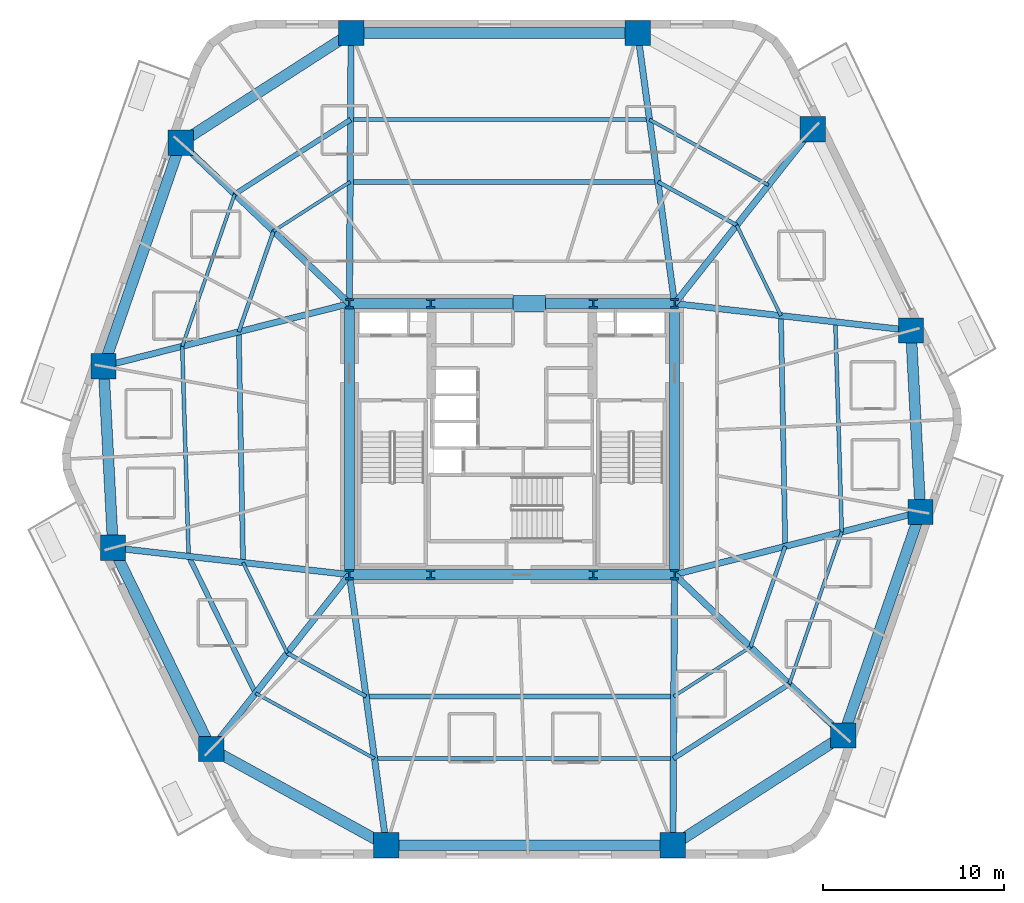
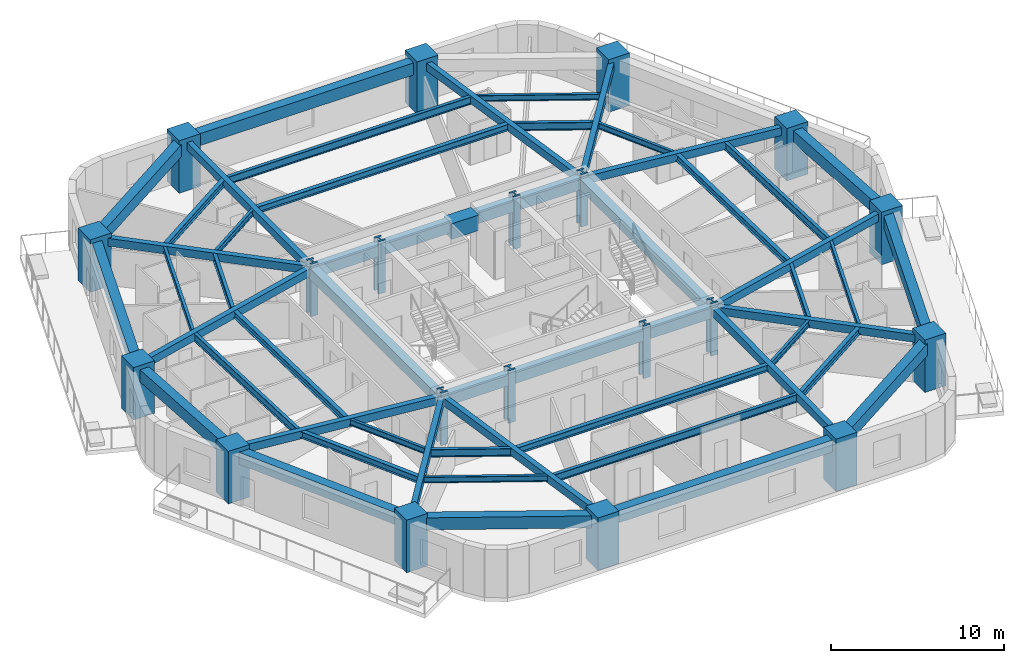
# One storey, part 1 of 10: 54 beams, 20 columns.
"""IFC4 building model written with IfcOpenShell, lengths in metres."""

from ifc_helpers import new_model, si_unit, direction, frame, origin, origin_2d, place, context, subcontext, project, spatial, rectangle, i_section, extrude, material, material_profile, profile_set, type_object, element, save


model = new_model("IFC4")

# Units and contexts
model_context = context("Model", 3, precision=1e-05, world=origin(), true_north=direction((0.0, 1.0)))
body_context = subcontext(model_context, "Body", "Model", "MODEL_VIEW")
ifc_project = project(units=[si_unit("LENGTHUNIT", "METRE"), si_unit("AREAUNIT", "SQUARE_METRE"), si_unit("VOLUMEUNIT", "CUBIC_METRE"), si_unit("PLANEANGLEUNIT", "RADIAN"), si_unit("MASSUNIT", "GRAM", prefix="KILO")], contexts=[model_context])

# Site, building, storey
site_placement = place(None, origin())
site = spatial("IfcSite", under=ifc_project, at=site_placement, CompositionType="ELEMENT")
building_placement = place(site_placement, origin())
building = spatial("IfcBuilding", under=site, at=building_placement, Name="Kilnhurst Terrace Hotel", CompositionType="ELEMENT")
storey_placement = place(building_placement, frame((0.0, 0.0, 49.0)))
storey = spatial("IfcBuildingStorey", under=building, at=storey_placement, Name="L10", CompositionType="ELEMENT", Elevation=49.0)

# Columns
ifc_material_1 = material(Name="Concrete C80/95", Category="concrete")
ifc_material_profile_1 = material_profile(ifc_material_1, rectangle(XDim=1.39990234375, YDim=1.39990234375, at=origin_2d()), Name="RC1400X1400")
ifc_profile_set_1 = profile_set([ifc_material_profile_1], Name="Concrete C80/95")
column_type_1 = type_object("IfcColumnType", Name="COL-RC-1400", PredefinedType="COLUMN", material=ifc_profile_set_1)
for number, where, z_axis, x_axis, name in (
    (1, (-6.955078125, -22.47998046875, 0.0), (0.0, 0.0, 1.0), (1.0, 0.0, 0.0), "L10 Structural Column PC-F11"),
    (2, (8.905029296875, -22.47998046875, 0.0), (0.0, 0.0, 1.0), (1.0, 0.0, 0.0), "L10 Structural Column PC-F12"),
    (3, (18.337890625, -16.410888671875, 0.0), (0.0, 0.0, 1.0), (1.0, 0.0, 0.0), "L10 Structural Column PC-F21"),
    (4, (22.60888671875, -4.029052734375, 0.0), (0.0, 0.0, 1.0), (1.0, 0.0, 0.0), "L10 Structural Column PC-F22"),
    (5, (22.083984375, 6.013916015625, 0.0), (0.0, 0.0, 1.0), (1.0, 0.0, 0.0), "L10 Structural Column PC-F31"),
    (6, (16.64306640625, 17.152099609375, 0.0), (0.0, 0.0, 1.0), (1.0, 0.0, 0.0), "L10 Structural Column PC-F32"),
    (7, (6.955078125, 22.47998046875, 0.0), (0.0, 0.0, 1.0), (1.0, 0.0, 0.0), "L10 Structural Column PC-F41"),
    (8, (-8.905029296875, 22.47998046875, 0.0), (0.0, 0.0, 1.0), (1.0, 0.0, 0.0), "L10 Structural Column PC-F42"),
    (9, (-18.337890625, 16.410888671875, 0.0), (0.0, 0.0, 1.0), (1.0, 0.0, 0.0), "L10 Structural Column PC-F51"),
    (10, (-22.60888671875, 4.029052734375, 0.0), (0.0, 0.0, 1.0), (1.0, 0.0, 0.0), "L10 Structural Column PC-F52"),
    (11, (-22.083984375, -6.013916015625, 0.0), (0.0, 0.0, 1.0), (1.0, 0.0, 0.0), "L10 Structural Column PC-F61"),
    (12, (-16.64306640625, -17.152099609375, 0.0), (0.0, 0.0, 1.0), (1.0, 0.0, 0.0), "L10 Structural Column PC-F62"),
):
    element("IfcColumn", number, at=place(storey_placement, frame(where, z_axis=z_axis, x_axis=x_axis)), inside=storey, type_object=column_type_1, Name=name, PredefinedType="COLUMN", context=body_context, shape_type="SweptSolid", body=[
        extrude(rectangle(XDim=1.39990234375, YDim=1.39990234375, at=origin_2d()), origin(), (0.0, 0.0, 1.0), 3.699951171875),
    ])
ifc_material_2 = material(Name="Steel ASTM A992 Grade 50", Category="steel")
ifc_material_profile_2 = material_profile(ifc_material_2, i_section(OverallWidth=0.454345703125, OverallDepth=0.569091796875, WebThickness=0.077880859375, FlangeThickness=0.124755859375, at=origin_2d()), Name="W14X730")
ifc_profile_set_2 = profile_set([ifc_material_profile_2], Name="Steel ASTM A992 Grade 50")
column_type_2 = type_object("IfcColumnType", Name="COL-STL-W14X730", PredefinedType="COLUMN", material=ifc_profile_set_2)
for number, where, z_axis, x_axis, name in (
    (13, (-9.0, -7.5, 0.0), (0.0, 0.0, 1.0), (1.0, 0.0, 0.0), "L10 Structural Column CC-SW"),
    (14, (-4.5, -7.5, 0.0), (0.0, 0.0, 1.0), (1.0, 0.0, 0.0), "L10 Structural Column CC-SC1"),
    (15, (4.5, -7.5, 0.0), (0.0, 0.0, 1.0), (1.0, 0.0, 0.0), "L10 Structural Column CC-SC2"),
    (16, (9.0, -7.5, 0.0), (0.0, 0.0, 1.0), (1.0, 0.0, 0.0), "L10 Structural Column CC-SE"),
    (17, (9.0, 7.5, 0.0), (0.0, 0.0, 1.0), (1.0, 0.0, 0.0), "L10 Structural Column CC-NE"),
    (18, (4.5, 7.5, 0.0), (0.0, 0.0, 1.0), (1.0, 0.0, 0.0), "L10 Structural Column CC-NC2"),
    (19, (-4.5, 7.5, 0.0), (0.0, 0.0, 1.0), (1.0, 0.0, 0.0), "L10 Structural Column CC-NC1"),
    (20, (-9.0, 7.5, 0.0), (0.0, 0.0, 1.0), (1.0, 0.0, 0.0), "L10 Structural Column CC-NW"),
):
    element("IfcColumn", number, at=place(storey_placement, frame(where, z_axis=z_axis, x_axis=x_axis)), inside=storey, type_object=column_type_2, Name=name, PredefinedType="COLUMN", context=body_context, shape_type="SweptSolid", body=[
        extrude(i_section(OverallWidth=0.454345703125, OverallDepth=0.569091796875, WebThickness=0.077880859375, FlangeThickness=0.124755859375, at=origin_2d()), origin(), (0.0, 0.0, 1.0), 3.699951171875),
    ])

# Beams
ifc_material_3 = material(Name="Concrete C50/60", Category="concrete")
ifc_material_profile_3 = material_profile(ifc_material_3, rectangle(XDim=0.35009765625, YDim=0.550048828125, at=origin_2d()), Name="RC350X550")
ifc_profile_set_3 = profile_set([ifc_material_profile_3], Name="Concrete C50/60")
beam_type_1 = type_object("IfcBeamType", Name="BM-RAD-350X550", PredefinedType="BEAM", material=ifc_profile_set_3)
beam_1_placement = place(storey_placement, frame((-9.0, -7.5, 3.125), z_axis=(0.13525588246, -0.990810701527, 0.0), x_axis=(0.990810701527, 0.13525588246, 0.0)))
element("IfcBeam", 21, at=beam_1_placement, inside=storey, type_object=beam_type_1, Name="L10 Radial Floor Beam 1", PredefinedType="BEAM", context=body_context, shape_type="SweptSolid", body=[
    extrude(rectangle(XDim=0.35009765625, YDim=0.550048828125, at=origin_2d()), origin(), (0.0, 0.0, 1.0), 15.118896484375),
])
beam_2_placement = place(storey_placement, frame((9.0, -7.5, 3.125), z_axis=(-0.006339714179, -0.99997990381, 0.0), x_axis=(0.99997990381, -0.006339714179, 0.0)))
element("IfcBeam", 22, at=beam_2_placement, inside=storey, type_object=beam_type_1, Name="L10 Radial Floor Beam 2", PredefinedType="BEAM", context=body_context, shape_type="SweptSolid", body=[
    extrude(rectangle(XDim=0.35009765625, YDim=0.550048828125, at=origin_2d()), origin(), (0.0, 0.0, 1.0), 14.980224609375),
])
beam_3_placement = place(storey_placement, frame((9.0, -7.5, 3.125), z_axis=(0.723454302813, -0.690372270403, 0.0), x_axis=(0.690372270403, 0.723454302813, 0.0)))
element("IfcBeam", 23, at=beam_3_placement, inside=storey, type_object=beam_type_1, Name="L10 Radial Floor Beam 3", PredefinedType="BEAM", context=body_context, shape_type="SweptSolid", body=[
    extrude(rectangle(XDim=0.35009765625, YDim=0.550048828125, at=origin_2d()), origin(), (0.0, 0.0, 1.0), 12.907470703125),
])
beam_4_placement = place(storey_placement, frame((9.0, -7.5, 3.125), z_axis=(0.968980179812, 0.247138445273, 0.0), x_axis=(-0.247138445273, 0.968980179812, 0.0)))
element("IfcBeam", 24, at=beam_4_placement, inside=storey, type_object=beam_type_1, Name="L10 Radial Floor Beam 4", PredefinedType="BEAM", context=body_context, shape_type="SweptSolid", body=[
    extrude(rectangle(XDim=0.35009765625, YDim=0.550048828125, at=origin_2d()), origin(), (0.0, 0.0, 1.0), 14.04443359375),
])
beam_5_placement = place(storey_placement, frame((9.0, 7.5, 3.125), z_axis=(0.993611493249, -0.112854776075, 0.0), x_axis=(0.112854776075, 0.993611493249, 0.0)))
element("IfcBeam", 25, at=beam_5_placement, inside=storey, type_object=beam_type_1, Name="L10 Radial Floor Beam 5", PredefinedType="BEAM", context=body_context, shape_type="SweptSolid", body=[
    extrude(rectangle(XDim=0.35009765625, YDim=0.550048828125, at=origin_2d()), origin(), (0.0, 0.0, 1.0), 13.168212890625),
])
beam_6_placement = place(storey_placement, frame((9.0, 7.5, 3.125), z_axis=(0.62079385707, 0.783973843329, 0.0), x_axis=(-0.783973843329, 0.62079385707, 0.0)))
element("IfcBeam", 26, at=beam_6_placement, inside=storey, type_object=beam_type_1, Name="L10 Radial Floor Beam 6", PredefinedType="BEAM", context=body_context, shape_type="SweptSolid", body=[
    extrude(rectangle(XDim=0.35009765625, YDim=0.550048828125, at=origin_2d()), origin(), (0.0, 0.0, 1.0), 12.311767578125),
])
beam_7_placement = place(storey_placement, frame((9.0, 7.5, 3.125), z_axis=(-0.13525588246, 0.990810701527, 0.0), x_axis=(-0.990810701527, -0.13525588246, 0.0)))
element("IfcBeam", 27, at=beam_7_placement, inside=storey, type_object=beam_type_1, Name="L10 Radial Floor Beam 7", PredefinedType="BEAM", context=body_context, shape_type="SweptSolid", body=[
    extrude(rectangle(XDim=0.35009765625, YDim=0.550048828125, at=origin_2d()), origin(), (0.0, 0.0, 1.0), 15.118896484375),
])
beam_8_placement = place(storey_placement, frame((-9.0, 7.5, 3.125), z_axis=(0.006339714179, 0.99997990381, 0.0), x_axis=(-0.99997990381, 0.006339714179, 0.0)))
element("IfcBeam", 28, at=beam_8_placement, inside=storey, type_object=beam_type_1, Name="L10 Radial Floor Beam 8", PredefinedType="BEAM", context=body_context, shape_type="SweptSolid", body=[
    extrude(rectangle(XDim=0.35009765625, YDim=0.550048828125, at=origin_2d()), origin(), (0.0, 0.0, 1.0), 14.980224609375),
])
beam_9_placement = place(storey_placement, frame((-9.0, 7.5, 3.125), z_axis=(-0.723454302813, 0.690372270403, 0.0), x_axis=(-0.690372270403, -0.723454302813, 0.0)))
element("IfcBeam", 29, at=beam_9_placement, inside=storey, type_object=beam_type_1, Name="L10 Radial Floor Beam 9", PredefinedType="BEAM", context=body_context, shape_type="SweptSolid", body=[
    extrude(rectangle(XDim=0.35009765625, YDim=0.550048828125, at=origin_2d()), origin(), (0.0, 0.0, 1.0), 12.907470703125),
])
beam_10_placement = place(storey_placement, frame((-9.0, 7.5, 3.125), z_axis=(-0.968980179812, -0.247138445273, 0.0), x_axis=(0.247138445273, -0.968980179812, 0.0)))
element("IfcBeam", 30, at=beam_10_placement, inside=storey, type_object=beam_type_1, Name="L10 Radial Floor Beam 10", PredefinedType="BEAM", context=body_context, shape_type="SweptSolid", body=[
    extrude(rectangle(XDim=0.35009765625, YDim=0.550048828125, at=origin_2d()), origin(), (0.0, 0.0, 1.0), 14.04443359375),
])
beam_11_placement = place(storey_placement, frame((-9.0, -7.5, 3.125), z_axis=(-0.993611493249, 0.112854776075, 0.0), x_axis=(-0.112854776075, -0.993611493249, 0.0)))
element("IfcBeam", 31, at=beam_11_placement, inside=storey, type_object=beam_type_1, Name="L10 Radial Floor Beam 11", PredefinedType="BEAM", context=body_context, shape_type="SweptSolid", body=[
    extrude(rectangle(XDim=0.35009765625, YDim=0.550048828125, at=origin_2d()), origin(), (0.0, 0.0, 1.0), 13.168212890625),
])
beam_12_placement = place(storey_placement, frame((-9.0, -7.5, 3.125), z_axis=(-0.62079385707, -0.783973843329, 0.0), x_axis=(0.783973843329, -0.62079385707, 0.0)))
element("IfcBeam", 32, at=beam_12_placement, inside=storey, type_object=beam_type_1, Name="L10 Radial Floor Beam 12", PredefinedType="BEAM", context=body_context, shape_type="SweptSolid", body=[
    extrude(rectangle(XDim=0.35009765625, YDim=0.550048828125, at=origin_2d()), origin(), (0.0, 0.0, 1.0), 12.311767578125),
])
ifc_material_profile_4 = material_profile(ifc_material_3, rectangle(XDim=0.550048828125, YDim=0.75, at=origin_2d()), Name="RC550X750")
ifc_profile_set_4 = profile_set([ifc_material_profile_4], Name="Concrete C50/60")
beam_type_2 = type_object("IfcBeamType", Name="BM-SPN-550X750", PredefinedType="SPANDREL", material=ifc_profile_set_4)
beam_13_placement = place(storey_placement, frame((-9.0, 7.5, 3.02490234375), z_axis=(1.0, 0.0, 0.0), x_axis=(0.0, 1.0, 0.0)))
element("IfcBeam", 33, at=beam_13_placement, inside=storey, type_object=beam_type_2, Name="L10 Core Tie Beam CC-NW to CC-NC1", PredefinedType="SPANDREL", context=body_context, shape_type="SweptSolid", body=[
    extrude(rectangle(XDim=0.550048828125, YDim=0.75, at=origin_2d()), origin(), (0.0, 0.0, 1.0), 4.5),
])
beam_14_placement = place(storey_placement, frame((-4.5, 7.5, 3.02490234375), z_axis=(1.0, 0.0, 0.0), x_axis=(0.0, 1.0, 0.0)))
element("IfcBeam", 34, at=beam_14_placement, inside=storey, type_object=beam_type_2, Name="L10 Core Tie Beam CC-NC1 to CC-NC2", PredefinedType="SPANDREL", context=body_context, shape_type="SweptSolid", body=[
    extrude(rectangle(XDim=0.550048828125, YDim=0.75, at=origin_2d()), origin(), (0.0, 0.0, 1.0), 9.0),
])
for number, where, z_axis, x_axis, name in (
    (35, (4.5, 7.5, 3.02490234375), (1.0, 0.0, 0.0), (0.0, 1.0, 0.0), "L10 Core Tie Beam CC-NC2 to CC-NE"),
    (36, (-9.0, -7.5, 3.02490234375), (1.0, 0.0, 0.0), (0.0, 1.0, 0.0), "L10 Core Tie Beam CC-SW to CC-SC1"),
):
    element("IfcBeam", number, at=place(storey_placement, frame(where, z_axis=z_axis, x_axis=x_axis)), inside=storey, type_object=beam_type_2, Name=name, PredefinedType="SPANDREL", context=body_context, shape_type="SweptSolid", body=[
        extrude(rectangle(XDim=0.550048828125, YDim=0.75, at=origin_2d()), origin(), (0.0, 0.0, 1.0), 4.5),
    ])
beam_15_placement = place(storey_placement, frame((-4.5, -7.5, 3.02490234375), z_axis=(1.0, 0.0, 0.0), x_axis=(0.0, 1.0, 0.0)))
element("IfcBeam", 37, at=beam_15_placement, inside=storey, type_object=beam_type_2, Name="L10 Core Tie Beam CC-SC1 to CC-SC2", PredefinedType="SPANDREL", context=body_context, shape_type="SweptSolid", body=[
    extrude(rectangle(XDim=0.550048828125, YDim=0.75, at=origin_2d()), origin(), (0.0, 0.0, 1.0), 9.0),
])
beam_16_placement = place(storey_placement, frame((4.5, -7.5, 3.02490234375), z_axis=(1.0, 0.0, 0.0), x_axis=(0.0, 1.0, 0.0)))
element("IfcBeam", 38, at=beam_16_placement, inside=storey, type_object=beam_type_2, Name="L10 Core Tie Beam CC-SC2 to CC-SE", PredefinedType="SPANDREL", context=body_context, shape_type="SweptSolid", body=[
    extrude(rectangle(XDim=0.550048828125, YDim=0.75, at=origin_2d()), origin(), (0.0, 0.0, 1.0), 4.5),
])
for number, where, z_axis, x_axis, name in (
    (39, (-9.0, -7.5, 3.02490234375), (0.0, 1.0, 0.0), (-1.0, 0.0, 0.0), "L10 Core Tie Beam CC-SW to CC-NW"),
    (40, (9.0, -7.5, 3.02490234375), (0.0, 1.0, 0.0), (-1.0, 0.0, 0.0), "L10 Core Tie Beam CC-SE to CC-NE"),
):
    element("IfcBeam", number, at=place(storey_placement, frame(where, z_axis=z_axis, x_axis=x_axis)), inside=storey, type_object=beam_type_2, Name=name, PredefinedType="SPANDREL", context=body_context, shape_type="SweptSolid", body=[
        extrude(rectangle(XDim=0.550048828125, YDim=0.75, at=origin_2d()), origin(), (0.0, 0.0, 1.0), 15.0),
    ])
ifc_material_profile_5 = material_profile(ifc_material_3, rectangle(XDim=0.60009765625, YDim=0.85009765625, at=origin_2d()), Name="RC600X850")
ifc_profile_set_5 = profile_set([ifc_material_profile_5], Name="Concrete C50/60")
beam_type_3 = type_object("IfcBeamType", Name="BM-SPN-600X850", PredefinedType="SPANDREL", material=ifc_profile_set_5)
beam_17_placement = place(storey_placement, frame((-6.955078125, -22.47998046875, 2.97509765625), z_axis=(1.0, 0.0, 0.0), x_axis=(0.0, 1.0, 0.0)))
element("IfcBeam", 41, at=beam_17_placement, inside=storey, type_object=beam_type_3, Name="L10 Perimeter Spandrel Beam 1", PredefinedType="SPANDREL", context=body_context, shape_type="SweptSolid", body=[
    extrude(rectangle(XDim=0.60009765625, YDim=0.85009765625, at=origin_2d()), origin(), (0.0, 0.0, 1.0), 15.860107421875),
])
beam_18_placement = place(storey_placement, frame((8.905029296875, -22.47998046875, 2.97509765625), z_axis=(0.840971204873, 0.541079876335, 0.0), x_axis=(-0.541079876335, 0.840971204873, 0.0)))
element("IfcBeam", 42, at=beam_18_placement, inside=storey, type_object=beam_type_3, Name="L10 Perimeter Spandrel Beam 2", PredefinedType="SPANDREL", context=body_context, shape_type="SweptSolid", body=[
    extrude(rectangle(XDim=0.60009765625, YDim=0.85009765625, at=origin_2d()), origin(), (0.0, 0.0, 1.0), 11.216552734375),
])
beam_19_placement = place(storey_placement, frame((18.337890625, -16.410888671875, 2.97509765625), z_axis=(0.326086040191, 0.945340094565, 0.0), x_axis=(-0.945340094565, 0.326086040191, 0.0)))
element("IfcBeam", 43, at=beam_19_placement, inside=storey, type_object=beam_type_3, Name="L10 Perimeter Spandrel Beam 3", PredefinedType="SPANDREL", context=body_context, shape_type="SweptSolid", body=[
    extrude(rectangle(XDim=0.60009765625, YDim=0.85009765625, at=origin_2d()), origin(), (0.0, 0.0, 1.0), 13.09765625),
])
beam_20_placement = place(storey_placement, frame((22.60888671875, -4.029052734375, 2.97509765625), z_axis=(-0.052194414298, 0.998636942595, 0.0), x_axis=(-0.998636942595, -0.052194414298, 0.0)))
element("IfcBeam", 44, at=beam_20_placement, inside=storey, type_object=beam_type_3, Name="L10 Perimeter Spandrel Beam 4", PredefinedType="SPANDREL", context=body_context, shape_type="SweptSolid", body=[
    extrude(rectangle(XDim=0.60009765625, YDim=0.85009765625, at=origin_2d()), origin(), (0.0, 0.0, 1.0), 10.056640625),
])
beam_21_placement = place(storey_placement, frame((6.955078125, 22.47998046875, 2.97509765625), z_axis=(-1.0, 0.0, 0.0), x_axis=(0.0, -1.0, 0.0)))
element("IfcBeam", 45, at=beam_21_placement, inside=storey, type_object=beam_type_3, Name="L10 Perimeter Spandrel Beam 7", PredefinedType="SPANDREL", context=body_context, shape_type="SweptSolid", body=[
    extrude(rectangle(XDim=0.60009765625, YDim=0.85009765625, at=origin_2d()), origin(), (0.0, 0.0, 1.0), 15.860107421875),
])
beam_22_placement = place(storey_placement, frame((-8.905029296875, 22.47998046875, 2.97509765625), z_axis=(-0.840971204873, -0.541079876335, 0.0), x_axis=(0.541079876335, -0.840971204873, 0.0)))
element("IfcBeam", 46, at=beam_22_placement, inside=storey, type_object=beam_type_3, Name="L10 Perimeter Spandrel Beam 8", PredefinedType="SPANDREL", context=body_context, shape_type="SweptSolid", body=[
    extrude(rectangle(XDim=0.60009765625, YDim=0.85009765625, at=origin_2d()), origin(), (0.0, 0.0, 1.0), 11.216552734375),
])
beam_23_placement = place(storey_placement, frame((-18.337890625, 16.410888671875, 2.97509765625), z_axis=(-0.326086040191, -0.945340094565, 0.0), x_axis=(0.945340094565, -0.326086040191, 0.0)))
element("IfcBeam", 47, at=beam_23_placement, inside=storey, type_object=beam_type_3, Name="L10 Perimeter Spandrel Beam 9", PredefinedType="SPANDREL", context=body_context, shape_type="SweptSolid", body=[
    extrude(rectangle(XDim=0.60009765625, YDim=0.85009765625, at=origin_2d()), origin(), (0.0, 0.0, 1.0), 13.09765625),
])
beam_24_placement = place(storey_placement, frame((-22.60888671875, 4.029052734375, 2.97509765625), z_axis=(0.052194414298, -0.998636942595, 0.0), x_axis=(0.998636942595, 0.052194414298, 0.0)))
element("IfcBeam", 48, at=beam_24_placement, inside=storey, type_object=beam_type_3, Name="L10 Perimeter Spandrel Beam 10", PredefinedType="SPANDREL", context=body_context, shape_type="SweptSolid", body=[
    extrude(rectangle(XDim=0.60009765625, YDim=0.85009765625, at=origin_2d()), origin(), (0.0, 0.0, 1.0), 10.056640625),
])
beam_25_placement = place(storey_placement, frame((-22.083984375, -6.013916015625, 2.97509765625), z_axis=(0.438922573627, -0.898524888003, 0.0), x_axis=(0.898524888003, 0.438922573627, 0.0)))
element("IfcBeam", 49, at=beam_25_placement, inside=storey, type_object=beam_type_3, Name="L10 Perimeter Spandrel Beam 11", PredefinedType="SPANDREL", context=body_context, shape_type="SweptSolid", body=[
    extrude(rectangle(XDim=0.60009765625, YDim=0.85009765625, at=origin_2d()), origin(), (0.0, 0.0, 1.0), 12.39599609375),
])
beam_26_placement = place(storey_placement, frame((-16.64306640625, -17.152099609375, 2.97509765625), z_axis=(0.876235488803, -0.481883147829, 0.0), x_axis=(0.481883147829, 0.876235488803, 0.0)))
element("IfcBeam", 50, at=beam_26_placement, inside=storey, type_object=beam_type_3, Name="L10 Perimeter Spandrel Beam 12", PredefinedType="SPANDREL", context=body_context, shape_type="SweptSolid", body=[
    extrude(rectangle(XDim=0.60009765625, YDim=0.85009765625, at=origin_2d()), origin(), (0.0, 0.0, 1.0), 11.056396484375),
])
ifc_material_profile_6 = material_profile(ifc_material_2, i_section(OverallWidth=0.180908203125, OverallDepth=0.417236328125, WebThickness=0.010986328125, FlangeThickness=0.018310546875, at=origin_2d()), Name="W16X57")
ifc_profile_set_6 = profile_set([ifc_material_profile_6], Name="Steel ASTM A992 Grade 50")
beam_type_4 = type_object("IfcBeamType", Name="JST-STL-W16X57", PredefinedType="JOIST", material=ifc_profile_set_6)
beam_27_placement = place(storey_placement, frame((15.349853515625, -13.5595703125, 3.19091796875), z_axis=(0.326078536201, 0.945342682961, 0.0), x_axis=(-0.945342682961, 0.326078536201, 0.0)))
element("IfcBeam", 51, at=beam_27_placement, inside=storey, type_object=beam_type_4, Name="L10 Secondary Floor Steel Joist OUT.3", PredefinedType="JOIST", context=body_context, shape_type="SweptSolid", body=[
    extrude(i_section(OverallWidth=0.180908203125, OverallDepth=0.417236328125, WebThickness=0.010986328125, FlangeThickness=0.018310546875, at=origin_2d()), origin(), (0.0, 0.0, 1.0), 8.90673828125),
])
beam_28_placement = place(storey_placement, frame((14.197265625, 14.0634765625, 3.19091796875), z_axis=(-0.876246073632, 0.481863900334, 0.0), x_axis=(-0.481863900334, -0.876246073632, 0.0)))
element("IfcBeam", 52, at=beam_28_placement, inside=storey, type_object=beam_type_4, Name="L10 Secondary Floor Steel Joist OUT.6", PredefinedType="JOIST", context=body_context, shape_type="SweptSolid", body=[
    extrude(i_section(OverallWidth=0.180908203125, OverallDepth=0.417236328125, WebThickness=0.010986328125, FlangeThickness=0.018310546875, at=origin_2d()), origin(), (0.0, 0.0, 1.0), 7.518310546875),
])
beam_29_placement = place(storey_placement, frame((-15.349853515625, 13.5595703125, 3.19091796875), z_axis=(-0.326078536201, -0.945342682961, 0.0), x_axis=(0.945342682961, -0.326078536201, 0.0)))
element("IfcBeam", 53, at=beam_29_placement, inside=storey, type_object=beam_type_4, Name="L10 Secondary Floor Steel Joist OUT.9", PredefinedType="JOIST", context=body_context, shape_type="SweptSolid", body=[
    extrude(i_section(OverallWidth=0.180908203125, OverallDepth=0.417236328125, WebThickness=0.010986328125, FlangeThickness=0.018310546875, at=origin_2d()), origin(), (0.0, 0.0, 1.0), 8.90673828125),
])
beam_30_placement = place(storey_placement, frame((-14.197265625, -14.0634765625, 3.19091796875), z_axis=(0.876246073632, -0.481863900334, 0.0), x_axis=(0.481863900334, 0.876246073632, 0.0)))
element("IfcBeam", 54, at=beam_30_placement, inside=storey, type_object=beam_type_4, Name="L10 Secondary Floor Steel Joist OUT.12", PredefinedType="JOIST", context=body_context, shape_type="SweptSolid", body=[
    extrude(i_section(OverallWidth=0.180908203125, OverallDepth=0.417236328125, WebThickness=0.010986328125, FlangeThickness=0.018310546875, at=origin_2d()), origin(), (0.0, 0.0, 1.0), 7.518310546875),
])
beam_31_placement = place(storey_placement, frame((8.957275390625, -14.240966796875, 3.19091796875), z_axis=(0.840988265896, 0.541053358389, 0.0), x_axis=(-0.541053358389, 0.840988265896, 0.0)))
element("IfcBeam", 55, at=beam_31_placement, inside=storey, type_object=beam_type_4, Name="L10 Secondary Floor Steel Joist IN.2", PredefinedType="JOIST", context=body_context, shape_type="SweptSolid", body=[
    extrude(i_section(OverallWidth=0.180908203125, OverallDepth=0.417236328125, WebThickness=0.010986328125, FlangeThickness=0.018310546875, at=origin_2d()), origin(), (0.0, 0.0, 1.0), 5.04736328125),
])
beam_32_placement = place(storey_placement, frame((14.8876953125, 6.831298828125, 3.19091796875), z_axis=(-0.438896112695, 0.898537813484, 0.0), x_axis=(-0.898537813484, -0.438896112695, 0.0)))
element("IfcBeam", 56, at=beam_32_placement, inside=storey, type_object=beam_type_4, Name="L10 Secondary Floor Steel Joist IN.5", PredefinedType="JOIST", context=body_context, shape_type="SweptSolid", body=[
    extrude(i_section(OverallWidth=0.180908203125, OverallDepth=0.417236328125, WebThickness=0.010986328125, FlangeThickness=0.018310546875, at=origin_2d()), origin(), (0.0, 0.0, 1.0), 5.578125),
])
beam_33_placement = place(storey_placement, frame((-8.957275390625, 14.240966796875, 3.19091796875), z_axis=(-0.840988265896, -0.541053358389, 0.0), x_axis=(0.541053358389, -0.840988265896, 0.0)))
element("IfcBeam", 57, at=beam_33_placement, inside=storey, type_object=beam_type_4, Name="L10 Secondary Floor Steel Joist IN.8", PredefinedType="JOIST", context=body_context, shape_type="SweptSolid", body=[
    extrude(i_section(OverallWidth=0.180908203125, OverallDepth=0.417236328125, WebThickness=0.010986328125, FlangeThickness=0.018310546875, at=origin_2d()), origin(), (0.0, 0.0, 1.0), 5.04736328125),
])
beam_34_placement = place(storey_placement, frame((-14.8876953125, -6.831298828125, 3.19091796875), z_axis=(0.438896112695, -0.898537813484, 0.0), x_axis=(0.898537813484, 0.438896112695, 0.0)))
element("IfcBeam", 58, at=beam_34_placement, inside=storey, type_object=beam_type_4, Name="L10 Secondary Floor Steel Joist IN.11", PredefinedType="JOIST", context=body_context, shape_type="SweptSolid", body=[
    extrude(i_section(OverallWidth=0.180908203125, OverallDepth=0.417236328125, WebThickness=0.010986328125, FlangeThickness=0.018310546875, at=origin_2d()), origin(), (0.0, 0.0, 1.0), 5.578125),
])
ifc_material_profile_7 = material_profile(ifc_material_2, i_section(OverallWidth=0.279296875, OverallDepth=0.462890625, WebThickness=0.0107421875, FlangeThickness=0.017333984375, at=origin_2d()), Name="W18X76")
ifc_profile_set_7 = profile_set([ifc_material_profile_7], Name="Steel ASTM A992 Grade 50")
beam_type_5 = type_object("IfcBeamType", Name="JST-STL-W18X76", PredefinedType="JOIST", material=ifc_profile_set_7)
for number, where, z_axis, x_axis, name in (
    (59, (8.935302734375, -17.686279296875, 3.16796875), (0.840995388529, 0.54104228714, 0.0), (-0.54104228714, 0.840995388529, 0.0), "L10 Secondary Floor Steel Joist OUT.2"),
    (60, (-8.935302734375, 17.686279296875, 3.16796875), (-0.840995388529, -0.54104228714, 0.0), (0.54104228714, -0.840995388529, 0.0), "L10 Secondary Floor Steel Joist OUT.8"),
):
    element("IfcBeam", number, at=place(storey_placement, frame(where, z_axis=z_axis, x_axis=x_axis)), inside=storey, type_object=beam_type_5, Name=name, PredefinedType="JOIST", context=body_context, shape_type="SweptSolid", body=[
        extrude(i_section(OverallWidth=0.279296875, OverallDepth=0.462890625, WebThickness=0.0107421875, FlangeThickness=0.017333984375, at=origin_2d()), origin(), (0.0, 0.0, 1.0), 7.62744140625),
    ])
beam_35_placement = place(storey_placement, frame((-17.897216796875, -6.489501953125, 3.16796875), z_axis=(0.438934275949, -0.898519171413, 0.0), x_axis=(0.898519171413, 0.438934275949, 0.0)))
element("IfcBeam", 61, at=beam_35_placement, inside=storey, type_object=beam_type_5, Name="L10 Secondary Floor Steel Joist OUT.11", PredefinedType="JOIST", context=body_context, shape_type="SweptSolid", body=[
    extrude(i_section(OverallWidth=0.279296875, OverallDepth=0.462890625, WebThickness=0.0107421875, FlangeThickness=0.017333984375, at=origin_2d()), origin(), (0.0, 0.0, 1.0), 8.429443359375),
])
beam_36_placement = place(storey_placement, frame((-8.079833984375, -14.240966796875, 3.16796875), z_axis=(1.0, 0.0, 0.0), x_axis=(0.0, 1.0, 0.0)))
element("IfcBeam", 62, at=beam_36_placement, inside=storey, type_object=beam_type_5, Name="L10 Secondary Floor Steel Joist IN.1", PredefinedType="JOIST", context=body_context, shape_type="SweptSolid", body=[
    extrude(i_section(OverallWidth=0.279296875, OverallDepth=0.462890625, WebThickness=0.0107421875, FlangeThickness=0.017333984375, at=origin_2d()), origin(), (0.0, 0.0, 1.0), 17.037109375),
])
beam_37_placement = place(storey_placement, frame((15.1240234375, -5.93798828125, 3.16796875), z_axis=(-0.018504373716, 0.999828779418, 0.0), x_axis=(-0.999828779418, -0.018504373716, 0.0)))
element("IfcBeam", 63, at=beam_37_placement, inside=storey, type_object=beam_type_5, Name="L10 Secondary Floor Steel Joist IN.4", PredefinedType="JOIST", context=body_context, shape_type="SweptSolid", body=[
    extrude(i_section(OverallWidth=0.279296875, OverallDepth=0.462890625, WebThickness=0.0107421875, FlangeThickness=0.017333984375, at=origin_2d()), origin(), (0.0, 0.0, 1.0), 12.771484375),
])
beam_38_placement = place(storey_placement, frame((8.079833984375, 14.240966796875, 3.16796875), z_axis=(-1.0, 0.0, 0.0), x_axis=(0.0, -1.0, 0.0)))
element("IfcBeam", 64, at=beam_38_placement, inside=storey, type_object=beam_type_5, Name="L10 Secondary Floor Steel Joist IN.7", PredefinedType="JOIST", context=body_context, shape_type="SweptSolid", body=[
    extrude(i_section(OverallWidth=0.279296875, OverallDepth=0.462890625, WebThickness=0.0107421875, FlangeThickness=0.017333984375, at=origin_2d()), origin(), (0.0, 0.0, 1.0), 17.037109375),
])
beam_39_placement = place(storey_placement, frame((-15.1240234375, 5.93798828125, 3.16796875), z_axis=(0.018504373716, -0.999828779418, 0.0), x_axis=(0.999828779418, 0.018504373716, 0.0)))
element("IfcBeam", 65, at=beam_39_placement, inside=storey, type_object=beam_type_5, Name="L10 Secondary Floor Steel Joist IN.10", PredefinedType="JOIST", context=body_context, shape_type="SweptSolid", body=[
    extrude(i_section(OverallWidth=0.279296875, OverallDepth=0.462890625, WebThickness=0.0107421875, FlangeThickness=0.017333984375, at=origin_2d()), origin(), (0.0, 0.0, 1.0), 12.771484375),
])
ifc_material_profile_8 = material_profile(ifc_material_2, i_section(OverallWidth=0.2138671875, OverallDepth=0.549072265625, WebThickness=0.0146484375, FlangeThickness=0.023681640625, at=origin_2d()), Name="W21X93")
ifc_profile_set_8 = profile_set([ifc_material_profile_8], Name="Steel ASTM A992 Grade 50")
beam_type_6 = type_object("IfcBeamType", Name="JST-STL-W21X93", PredefinedType="JOIST", material=ifc_profile_set_8)
beam_40_placement = place(storey_placement, frame((-7.609375, -17.686279296875, 3.125), z_axis=(1.0, 0.0, 0.0), x_axis=(0.0, 1.0, 0.0)))
element("IfcBeam", 66, at=beam_40_placement, inside=storey, type_object=beam_type_6, Name="L10 Secondary Floor Steel Joist OUT.1", PredefinedType="JOIST", context=body_context, shape_type="SweptSolid", body=[
    extrude(i_section(OverallWidth=0.2138671875, OverallDepth=0.549072265625, WebThickness=0.0146484375, FlangeThickness=0.023681640625, at=origin_2d()), origin(), (0.0, 0.0, 1.0), 16.544677734375),
])
beam_41_placement = place(storey_placement, frame((18.254150390625, -5.1396484375, 3.125), z_axis=(-0.030678559818, 0.999529302206, 0.0), x_axis=(-0.999529302206, -0.030678559818, 0.0)))
element("IfcBeam", 67, at=beam_41_placement, inside=storey, type_object=beam_type_6, Name="L10 Secondary Floor Steel Joist OUT.4", PredefinedType="JOIST", context=body_context, shape_type="SweptSolid", body=[
    extrude(i_section(OverallWidth=0.2138671875, OverallDepth=0.549072265625, WebThickness=0.0146484375, FlangeThickness=0.023681640625, at=origin_2d()), origin(), (0.0, 0.0, 1.0), 11.634521484375),
])
beam_42_placement = place(storey_placement, frame((7.609375, 17.686279296875, 3.125), z_axis=(-1.0, 0.0, 0.0), x_axis=(0.0, -1.0, 0.0)))
element("IfcBeam", 68, at=beam_42_placement, inside=storey, type_object=beam_type_6, Name="L10 Secondary Floor Steel Joist OUT.7", PredefinedType="JOIST", context=body_context, shape_type="SweptSolid", body=[
    extrude(i_section(OverallWidth=0.2138671875, OverallDepth=0.549072265625, WebThickness=0.0146484375, FlangeThickness=0.023681640625, at=origin_2d()), origin(), (0.0, 0.0, 1.0), 16.544677734375),
])
beam_43_placement = place(storey_placement, frame((-18.254150390625, 5.1396484375, 3.125), z_axis=(0.030678559818, -0.999529302206, 0.0), x_axis=(0.999529302206, 0.030678559818, 0.0)))
element("IfcBeam", 69, at=beam_43_placement, inside=storey, type_object=beam_type_6, Name="L10 Secondary Floor Steel Joist OUT.10", PredefinedType="JOIST", context=body_context, shape_type="SweptSolid", body=[
    extrude(i_section(OverallWidth=0.2138671875, OverallDepth=0.549072265625, WebThickness=0.0146484375, FlangeThickness=0.023681640625, at=origin_2d()), origin(), (0.0, 0.0, 1.0), 11.634521484375),
])
beam_44_placement = place(storey_placement, frame((13.2021484375, -11.510009765625, 3.125), z_axis=(0.326064720391, 0.945347448358, 0.0), x_axis=(-0.945347448358, 0.326064720391, 0.0)))
element("IfcBeam", 70, at=beam_44_placement, inside=storey, type_object=beam_type_6, Name="L10 Secondary Floor Steel Joist IN.3", PredefinedType="JOIST", context=body_context, shape_type="SweptSolid", body=[
    extrude(i_section(OverallWidth=0.2138671875, OverallDepth=0.549072265625, WebThickness=0.0146484375, FlangeThickness=0.023681640625, at=origin_2d()), origin(), (0.0, 0.0, 1.0), 5.89404296875),
])
beam_45_placement = place(storey_placement, frame((12.439453125, 11.843505859375, 3.125), z_axis=(-0.876243879955, 0.481867889408, 0.0), x_axis=(-0.481867889408, -0.876243879955, 0.0)))
element("IfcBeam", 71, at=beam_45_placement, inside=storey, type_object=beam_type_6, Name="L10 Secondary Floor Steel Joist IN.6", PredefinedType="JOIST", context=body_context, shape_type="SweptSolid", body=[
    extrude(i_section(OverallWidth=0.2138671875, OverallDepth=0.549072265625, WebThickness=0.0146484375, FlangeThickness=0.023681640625, at=origin_2d()), origin(), (0.0, 0.0, 1.0), 4.975341796875),
])
beam_46_placement = place(storey_placement, frame((-13.2021484375, 11.510009765625, 3.125), z_axis=(-0.326064720391, -0.945347448358, 0.0), x_axis=(0.945347448358, -0.326064720391, 0.0)))
element("IfcBeam", 72, at=beam_46_placement, inside=storey, type_object=beam_type_6, Name="L10 Secondary Floor Steel Joist IN.9", PredefinedType="JOIST", context=body_context, shape_type="SweptSolid", body=[
    extrude(i_section(OverallWidth=0.2138671875, OverallDepth=0.549072265625, WebThickness=0.0146484375, FlangeThickness=0.023681640625, at=origin_2d()), origin(), (0.0, 0.0, 1.0), 5.89404296875),
])
beam_47_placement = place(storey_placement, frame((-12.439453125, -11.843505859375, 3.125), z_axis=(0.876243879955, -0.481867889408, 0.0), x_axis=(0.481867889408, 0.876243879955, 0.0)))
element("IfcBeam", 73, at=beam_47_placement, inside=storey, type_object=beam_type_6, Name="L10 Secondary Floor Steel Joist IN.12", PredefinedType="JOIST", context=body_context, shape_type="SweptSolid", body=[
    extrude(i_section(OverallWidth=0.2138671875, OverallDepth=0.549072265625, WebThickness=0.0146484375, FlangeThickness=0.023681640625, at=origin_2d()), origin(), (0.0, 0.0, 1.0), 4.975341796875),
])
ifc_material_profile_9 = material_profile(ifc_material_1, rectangle(XDim=0.89990234375, YDim=1.10009765625, at=origin_2d()), Name="RC900X1100")
ifc_profile_set_9 = profile_set([ifc_material_profile_9], Name="Concrete C80/95")
beam_type_7 = type_object("IfcBeamType", Name="LNT-CB-900X1100", PredefinedType="LINTEL", material=ifc_profile_set_9)
beam_48_placement = place(storey_placement, frame((0.050048828125, 7.5, 2.85009765625), z_axis=(1.0, 0.0, 0.0), x_axis=(0.0, 1.0, 0.0)))
element("IfcBeam", 74, at=beam_48_placement, inside=storey, type_object=beam_type_7, Name="L10 North Core Coupling Link Beam", PredefinedType="LINTEL", context=body_context, shape_type="SweptSolid", body=[
    extrude(rectangle(XDim=0.89990234375, YDim=1.10009765625, at=origin_2d()), origin(), (0.0, 0.0, 1.0), 1.800048828125),
])

save(model, "model.ifc")
